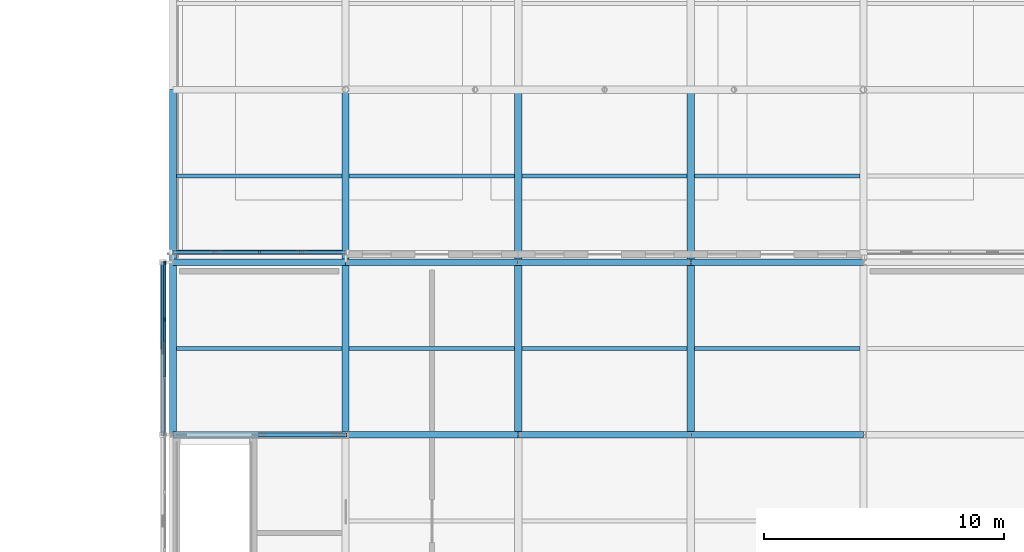
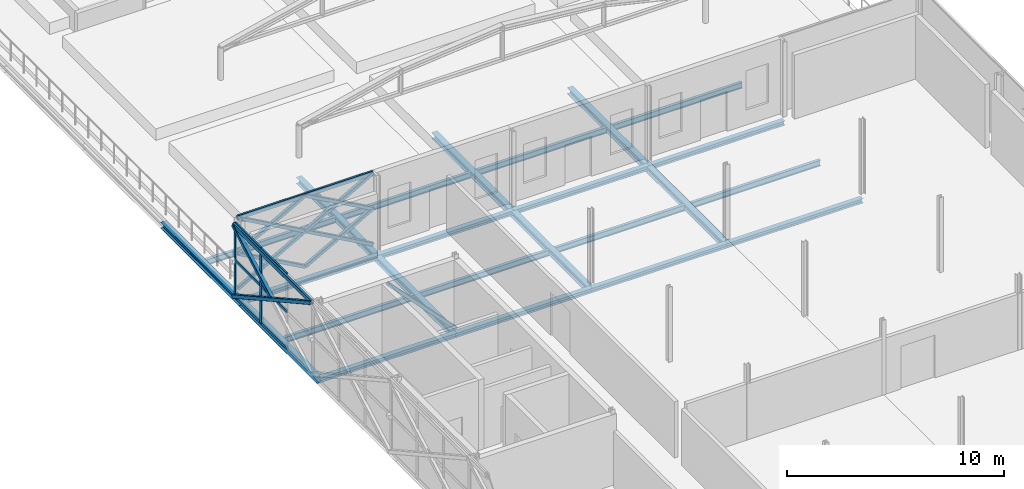
# One storey, part 62 of 126: 25 members, 24 beams, 1 element without a shape of its own.
"""IFC4 building model written with IfcOpenShell, lengths in metres."""

from ifc_helpers import new_model, si_unit, direction, frame, origin, origin_2d, place, context, subcontext, project, spatial, rectangle, hollow_rectangle, i_section, extrude, material, material_profile, profile_set, type_object, element, aggregate, save


model = new_model("IFC4")

# Units and contexts
model_context = context("Model", 3, precision=1e-05, world=origin(), true_north=direction((0.0, 1.0)))
body_context = subcontext(model_context, "Body", "Model", "MODEL_VIEW")
ifc_project = project(units=[si_unit("LENGTHUNIT", "METRE"), si_unit("AREAUNIT", "SQUARE_METRE"), si_unit("VOLUMEUNIT", "CUBIC_METRE"), si_unit("PLANEANGLEUNIT", "RADIAN"), si_unit("MASSUNIT", "GRAM", prefix="KILO")], contexts=[model_context])

# Site, building, storey
site_placement = place(None, origin())
site = spatial("IfcSite", under=ifc_project, at=site_placement, CompositionType="ELEMENT")
building_placement = place(site_placement, origin())
building = spatial("IfcBuilding", under=site, at=building_placement, Name="Zlatovets Crest Museum", CompositionType="ELEMENT")
storey_placement = place(building_placement, frame((0.0, 0.0, 8.699951171875)))
storey = spatial("IfcBuildingStorey", under=building, at=storey_placement, Name="L02", CompositionType="ELEMENT", Elevation=8.699951171875)

# Beams
ifc_material_1 = material(Name="Structural steel S355J2", Category="steel")
ifc_material_profile_1 = material_profile(ifc_material_1, i_section(OverallWidth=0.300048828125, OverallDepth=0.35009765625, WebThickness=0.010009765625, FlangeThickness=0.017578125, FilletRadius=0.027099609375, at=origin_2d()), Name="HEA 360")
ifc_profile_set_1 = profile_set([ifc_material_profile_1], Name="Structural steel S355J2")
beam_type_1 = type_object("IfcBeamType", Name="Beam_B-03", PredefinedType="BEAM", material=ifc_profile_set_1)
beam_1_placement = place(storey_placement, frame((129.60009765625, 50.39990234375, -0.39501953125), z_axis=(0.0, 1.0, 0.0), x_axis=(-1.0, 0.0, 0.0)))
element("IfcBeam", 1, at=beam_1_placement, inside=storey, type_object=beam_type_1, Name="V5 L02 Grid Beam B-03", PredefinedType="BEAM", context=body_context, shape_type="SweptSolid", body=[
    extrude(i_section(OverallWidth=0.300048828125, OverallDepth=0.35009765625, WebThickness=0.010009765625, FlangeThickness=0.017578125, FilletRadius=0.027099609375, at=origin_2d()), origin(), (0.0, 0.0, 1.0), 7.2001953125),
])
beam_2_placement = place(storey_placement, frame((129.60009765625, 57.60009765625, -0.39501953125), z_axis=(0.0, 1.0, 0.0), x_axis=(-1.0, 0.0, 0.0)))
element("IfcBeam", 2, at=beam_2_placement, inside=storey, type_object=beam_type_1, Name="V5 L02 Grid Beam B-03", PredefinedType="BEAM", context=body_context, shape_type="SweptSolid", body=[
    extrude(i_section(OverallWidth=0.300048828125, OverallDepth=0.35009765625, WebThickness=0.010009765625, FlangeThickness=0.017578125, FilletRadius=0.027099609375, at=origin_2d()), origin(), (0.0, 0.0, 1.0), 7.199951171875),
])
beam_3_placement = place(storey_placement, frame((136.800048828125, 50.39990234375, -0.39501953125), z_axis=(0.0, 1.0, 0.0), x_axis=(-1.0, 0.0, 0.0)))
element("IfcBeam", 3, at=beam_3_placement, inside=storey, type_object=beam_type_1, Name="V5 L02 Grid Beam B-03", PredefinedType="BEAM", context=body_context, shape_type="SweptSolid", body=[
    extrude(i_section(OverallWidth=0.300048828125, OverallDepth=0.35009765625, WebThickness=0.010009765625, FlangeThickness=0.017578125, FilletRadius=0.027099609375, at=origin_2d()), origin(), (0.0, 0.0, 1.0), 7.2001953125),
])
beam_4_placement = place(storey_placement, frame((136.800048828125, 57.60009765625, -0.39501953125), z_axis=(0.0, 1.0, 0.0), x_axis=(-1.0, 0.0, 0.0)))
element("IfcBeam", 4, at=beam_4_placement, inside=storey, type_object=beam_type_1, Name="V5 L02 Grid Beam B-03", PredefinedType="BEAM", context=body_context, shape_type="SweptSolid", body=[
    extrude(i_section(OverallWidth=0.300048828125, OverallDepth=0.35009765625, WebThickness=0.010009765625, FlangeThickness=0.017578125, FilletRadius=0.027099609375, at=origin_2d()), origin(), (0.0, 0.0, 1.0), 7.199951171875),
])
beam_5_placement = place(storey_placement, frame((144.0, 50.39990234375, -0.39501953125), z_axis=(0.0, 1.0, 0.0), x_axis=(-1.0, 0.0, 0.0)))
element("IfcBeam", 5, at=beam_5_placement, inside=storey, type_object=beam_type_1, Name="V5 L02 Grid Beam B-03", PredefinedType="BEAM", context=body_context, shape_type="SweptSolid", body=[
    extrude(i_section(OverallWidth=0.300048828125, OverallDepth=0.35009765625, WebThickness=0.010009765625, FlangeThickness=0.017578125, FilletRadius=0.027099609375, at=origin_2d()), origin(), (0.0, 0.0, 1.0), 7.2001953125),
])
beam_6_placement = place(storey_placement, frame((144.0, 57.60009765625, -0.39501953125), z_axis=(0.0, 1.0, 0.0), x_axis=(-1.0, 0.0, 0.0)))
element("IfcBeam", 6, at=beam_6_placement, inside=storey, type_object=beam_type_1, Name="V5 L02 Grid Beam B-03", PredefinedType="BEAM", context=body_context, shape_type="SweptSolid", body=[
    extrude(i_section(OverallWidth=0.300048828125, OverallDepth=0.35009765625, WebThickness=0.010009765625, FlangeThickness=0.017578125, FilletRadius=0.027099609375, at=origin_2d()), origin(), (0.0, 0.0, 1.0), 7.199951171875),
])
beam_7_placement = place(storey_placement, frame((151.199951171875, 50.39990234375, -0.39501953125), z_axis=(0.0, 1.0, 0.0), x_axis=(-1.0, 0.0, 0.0)))
element("IfcBeam", 7, at=beam_7_placement, inside=storey, type_object=beam_type_1, Name="V5 L02 Grid Beam B-03", PredefinedType="BEAM", context=body_context, shape_type="SweptSolid", body=[
    extrude(i_section(OverallWidth=0.300048828125, OverallDepth=0.35009765625, WebThickness=0.010009765625, FlangeThickness=0.017578125, FilletRadius=0.027099609375, at=origin_2d()), origin(), (0.0, 0.0, 1.0), 7.2001953125),
])
beam_8_placement = place(storey_placement, frame((151.199951171875, 57.60009765625, -0.39501953125), z_axis=(0.0, 1.0, 0.0), x_axis=(-1.0, 0.0, 0.0)))
element("IfcBeam", 8, at=beam_8_placement, inside=storey, type_object=beam_type_1, Name="V5 L02 Grid Beam B-03", PredefinedType="BEAM", context=body_context, shape_type="SweptSolid", body=[
    extrude(i_section(OverallWidth=0.300048828125, OverallDepth=0.35009765625, WebThickness=0.010009765625, FlangeThickness=0.017578125, FilletRadius=0.027099609375, at=origin_2d()), origin(), (0.0, 0.0, 1.0), 7.199951171875),
])
ifc_material_profile_2 = material_profile(ifc_material_1, i_section(OverallWidth=0.260009765625, OverallDepth=0.25, WebThickness=0.007568359375, FlangeThickness=0.012451171875, FilletRadius=0.02392578125, at=origin_2d()), Name="HEA 260")
ifc_profile_set_2 = profile_set([ifc_material_profile_2], Name="Structural steel S355J2")
beam_type_2 = type_object("IfcBeamType", Name="Beam_B-13", PredefinedType="BEAM", material=ifc_profile_set_2)
for number, where, z_axis, x_axis, name in (
    (9, (129.60009765625, 50.39990234375, -0.344970703125), (1.0, 0.0, 0.0), (0.0, 1.0, 0.0), "V5 L02 Primary Girder B-13"),
    (10, (136.800048828125, 50.39990234375, -0.344970703125), (1.0, 0.0, 0.0), (0.0, 1.0, 0.0), "V5 L02 Primary Girder B-13"),
    (11, (144.0, 50.39990234375, -0.344970703125), (1.0, 0.0, 0.0), (0.0, 1.0, 0.0), "V5 L02 Primary Girder B-13"),
    (12, (151.199951171875, 50.39990234375, -0.344970703125), (1.0, 0.0, 0.0), (0.0, 1.0, 0.0), "V5 L02 Primary Girder B-13"),
    (13, (129.60009765625, 57.60009765625, -0.344970703125), (1.0, 0.0, 0.0), (0.0, 1.0, 0.0), "V5 L02 Primary Girder B-13"),
    (14, (136.800048828125, 57.60009765625, -0.344970703125), (1.0, 0.0, 0.0), (0.0, 1.0, 0.0), "V5 L02 Primary Girder B-13"),
    (15, (144.0, 57.60009765625, -0.344970703125), (1.0, 0.0, 0.0), (0.0, 1.0, 0.0), "V5 L02 Primary Girder B-13"),
    (16, (151.199951171875, 57.60009765625, -0.344970703125), (1.0, 0.0, 0.0), (0.0, 1.0, 0.0), "V5 L02 Primary Girder B-13"),
):
    element("IfcBeam", number, at=place(storey_placement, frame(where, z_axis=z_axis, x_axis=x_axis)), inside=storey, type_object=beam_type_2, Name=name, PredefinedType="BEAM", context=body_context, shape_type="SweptSolid", body=[
        extrude(i_section(OverallWidth=0.260009765625, OverallDepth=0.25, WebThickness=0.007568359375, FlangeThickness=0.012451171875, FilletRadius=0.02392578125, at=origin_2d()), origin(), (0.0, 0.0, 1.0), 7.199951171875),
    ])
ifc_material_profile_3 = material_profile(ifc_material_1, i_section(OverallWidth=0.159912109375, OverallDepth=0.330078125, WebThickness=0.007568359375, FlangeThickness=0.011474609375, FilletRadius=0.01806640625, at=origin_2d()), Name="IPE 330")
ifc_profile_set_3 = profile_set([ifc_material_profile_3], Name="Structural steel S355J2")
beam_type_3 = type_object("IfcBeamType", Name="Beam_J-09", PredefinedType="JOIST", material=ifc_profile_set_3)
for number, where, z_axis, x_axis, name in (
    (17, (129.75, 54.0, -0.385009765625), (1.0, 0.0, 0.0), (0.0, 1.0, 0.0), "V5 L02 Composite Joist J-09"),
    (18, (129.75, 61.199951171875, -0.385009765625), (1.0, 0.0, 0.0), (0.0, 1.0, 0.0), "V5 L02 Composite Joist J-09"),
):
    element("IfcBeam", number, at=place(storey_placement, frame(where, z_axis=z_axis, x_axis=x_axis)), inside=storey, type_object=beam_type_3, Name=name, PredefinedType="JOIST", context=body_context, shape_type="SweptSolid", body=[
        extrude(i_section(OverallWidth=0.159912109375, OverallDepth=0.330078125, WebThickness=0.007568359375, FlangeThickness=0.011474609375, FilletRadius=0.01806640625, at=origin_2d()), origin(), (0.0, 0.0, 1.0), 6.89990234375),
    ])
for number, where, z_axis, x_axis, name in (
    (19, (136.949951171875, 54.0, -0.385009765625), (1.0, 0.0, 0.0), (0.0, 1.0, 0.0), "V5 L02 Composite Joist J-09"),
    (20, (136.949951171875, 61.199951171875, -0.385009765625), (1.0, 0.0, 0.0), (0.0, 1.0, 0.0), "V5 L02 Composite Joist J-09"),
    (21, (144.14990234375, 54.0, -0.385009765625), (1.0, 0.0, 0.0), (0.0, 1.0, 0.0), "V5 L02 Composite Joist J-09"),
    (22, (144.14990234375, 61.199951171875, -0.385009765625), (1.0, 0.0, 0.0), (0.0, 1.0, 0.0), "V5 L02 Composite Joist J-09"),
):
    element("IfcBeam", number, at=place(storey_placement, frame(where, z_axis=z_axis, x_axis=x_axis)), inside=storey, type_object=beam_type_3, Name=name, PredefinedType="JOIST", context=body_context, shape_type="SweptSolid", body=[
        extrude(i_section(OverallWidth=0.159912109375, OverallDepth=0.330078125, WebThickness=0.007568359375, FlangeThickness=0.011474609375, FilletRadius=0.01806640625, at=origin_2d()), origin(), (0.0, 0.0, 1.0), 6.900146484375),
    ])
for number, where, z_axis, x_axis, name in (
    (23, (151.35009765625, 54.0, -0.385009765625), (1.0, 0.0, 0.0), (0.0, 1.0, 0.0), "V5 L02 Composite Joist J-09"),
    (24, (151.35009765625, 61.199951171875, -0.385009765625), (1.0, 0.0, 0.0), (0.0, 1.0, 0.0), "V5 L02 Composite Joist J-09"),
):
    element("IfcBeam", number, at=place(storey_placement, frame(where, z_axis=z_axis, x_axis=x_axis)), inside=storey, type_object=beam_type_3, Name=name, PredefinedType="JOIST", context=body_context, shape_type="SweptSolid", body=[
        extrude(i_section(OverallWidth=0.159912109375, OverallDepth=0.330078125, WebThickness=0.007568359375, FlangeThickness=0.011474609375, FilletRadius=0.01806640625, at=origin_2d()), origin(), (0.0, 0.0, 1.0), 6.89990234375),
    ])

# Curtain wall, members
ifc_material_2 = material(Name="Bronze-anodised aluminium and low-E triple glass", Category="aluminium")
curtain_wall_type = type_object("IfcCurtainWallType", Name="CW_CW-V5-L02-M0", PredefinedType="NOTDEFINED", material=ifc_material_2)
curtain_wall_placement = place(storey_placement, origin())
curtain_wall = element("IfcCurtainWall", 25, at=curtain_wall_placement, inside=storey, type_object=curtain_wall_type, Name="V5 L02 Secession Foyer Clear Curtain Wall", PredefinedType="NOTDEFINED")
ifc_material_3 = material(Name="Bronze-anodised aluminium EN AW-6060", Category="aluminium")
ifc_material_profile_4 = material_profile(ifc_material_3, rectangle(XDim=0.080078125, YDim=0.159912109375, at=origin_2d()), Name="ALU 80x160")
ifc_profile_set_4 = profile_set([ifc_material_profile_4], Name="Bronze-anodised aluminium EN AW-6060")
member_type_1 = type_object("IfcMemberType", Name="CWMull_M1", PredefinedType="MULLION", material=ifc_profile_set_4)
member_1_placement = place(storey_placement, frame((129.260009765625, 57.570068359375, 0.0), z_axis=(0.0, 0.0, 1.0), x_axis=(1.0, 0.0, 0.0)))
member_1 = element("IfcMember", 26, at=member_1_placement, type_object=member_type_1, Name="CW-V5-L02-M0 mullion 1", PredefinedType="MULLION", context=body_context, shape_type="SweptSolid", body=[
    extrude(rectangle(XDim=0.080078125, YDim=0.159912109375, at=origin_2d()), origin(), (0.0, 0.0, 1.0), 4.199951171875),
])
member_2_placement = place(storey_placement, frame((129.260009765625, 55.199951171875, 0.0), z_axis=(0.0, 0.0, 1.0), x_axis=(1.0, 0.0, 0.0)))
member_2 = element("IfcMember", 27, at=member_2_placement, type_object=member_type_1, Name="CW-V5-L02-M0 mullion 2", PredefinedType="MULLION", context=body_context, shape_type="SweptSolid", body=[
    extrude(rectangle(XDim=0.080078125, YDim=0.159912109375, at=origin_2d()), origin(), (0.0, 0.0, 1.0), 4.199951171875),
])
ifc_material_profile_5 = material_profile(ifc_material_3, rectangle(XDim=0.080078125, YDim=0.159912109375, at=origin_2d()), Name="ALU 80x160")
ifc_profile_set_5 = profile_set([ifc_material_profile_5], Name="Bronze-anodised aluminium EN AW-6060")
member_type_2 = type_object("IfcMemberType", Name="CWTrans_T1", PredefinedType="USERDEFINED", material=ifc_profile_set_5)
member_3_placement = place(storey_placement, frame((129.260009765625, 57.5400390625, 0.030029296875), z_axis=(0.0, -1.0, 0.0), x_axis=(1.0, 0.0, 0.0)))
member_3 = element("IfcMember", 28, at=member_3_placement, type_object=member_type_2, Name="CW-V5-L02-M0 transom 1.1", ObjectType="TRANSOM", PredefinedType="USERDEFINED", context=body_context, shape_type="SweptSolid", body=[
    extrude(rectangle(XDim=0.080078125, YDim=0.159912109375, at=origin_2d()), origin(), (0.0, 0.0, 1.0), 2.31005859375),
])
member_4_placement = place(storey_placement, frame((129.260009765625, 57.5400390625, 2.10009765625), z_axis=(0.0, -1.0, 0.0), x_axis=(1.0, 0.0, 0.0)))
member_4 = element("IfcMember", 29, at=member_4_placement, type_object=member_type_2, Name="CW-V5-L02-M0 transom 1.2", ObjectType="TRANSOM", PredefinedType="USERDEFINED", context=body_context, shape_type="SweptSolid", body=[
    extrude(rectangle(XDim=0.080078125, YDim=0.159912109375, at=origin_2d()), origin(), (0.0, 0.0, 1.0), 2.31005859375),
])
member_5_placement = place(storey_placement, frame((129.260009765625, 57.5400390625, 4.170166015625), z_axis=(0.0, -1.0, 0.0), x_axis=(1.0, 0.0, 0.0)))
member_5 = element("IfcMember", 30, at=member_5_placement, type_object=member_type_2, Name="CW-V5-L02-M0 transom 1.3", ObjectType="TRANSOM", PredefinedType="USERDEFINED", context=body_context, shape_type="SweptSolid", body=[
    extrude(rectangle(XDim=0.080078125, YDim=0.159912109375, at=origin_2d()), origin(), (0.0, 0.0, 1.0), 2.31005859375),
])
member_6_placement = place(storey_placement, frame((129.260009765625, 55.169921875, 0.030029296875), z_axis=(0.0, -1.0, 0.0), x_axis=(1.0, 0.0, 0.0)))
member_6 = element("IfcMember", 31, at=member_6_placement, type_object=member_type_2, Name="CW-V5-L02-M0 transom 2.1", ObjectType="TRANSOM", PredefinedType="USERDEFINED", context=body_context, shape_type="SweptSolid", body=[
    extrude(rectangle(XDim=0.080078125, YDim=0.159912109375, at=origin_2d()), origin(), (0.0, 0.0, 1.0), 2.33984375),
])
member_7_placement = place(storey_placement, frame((129.260009765625, 55.169921875, 2.10009765625), z_axis=(0.0, -1.0, 0.0), x_axis=(1.0, 0.0, 0.0)))
member_7 = element("IfcMember", 32, at=member_7_placement, type_object=member_type_2, Name="CW-V5-L02-M0 transom 2.2", ObjectType="TRANSOM", PredefinedType="USERDEFINED", context=body_context, shape_type="SweptSolid", body=[
    extrude(rectangle(XDim=0.080078125, YDim=0.159912109375, at=origin_2d()), origin(), (0.0, 0.0, 1.0), 2.33984375),
])
member_8_placement = place(storey_placement, frame((129.260009765625, 55.169921875, 4.170166015625), z_axis=(0.0, -1.0, 0.0), x_axis=(1.0, 0.0, 0.0)))
member_8 = element("IfcMember", 33, at=member_8_placement, type_object=member_type_2, Name="CW-V5-L02-M0 transom 2.3", ObjectType="TRANSOM", PredefinedType="USERDEFINED", context=body_context, shape_type="SweptSolid", body=[
    extrude(rectangle(XDim=0.080078125, YDim=0.159912109375, at=origin_2d()), origin(), (0.0, 0.0, 1.0), 2.33984375),
])
aggregate(curtain_wall, [member_1, member_2, member_3, member_4, member_5, member_6, member_7, member_8])

# Members
ifc_material_4 = material(Name="Weathering bronze-steel S355J2W", Category="steel")
ifc_material_profile_6 = material_profile(ifc_material_4, hollow_rectangle(XDim=0.179931640625, YDim=0.179931640625, WallThickness=0.010009765625, InnerFilletRadius=0.010009765625, OuterFilletRadius=0.02001953125, at=origin_2d()), Name="SHS 180x180x10.0")
ifc_profile_set_6 = profile_set([ifc_material_profile_6], Name="Weathering bronze-steel S355J2W")
member_type_3 = type_object("IfcMemberType", Name="Lattice_XL-01", PredefinedType="BRACE", material=ifc_profile_set_6)
member_9_placement = place(storey_placement, frame((136.800048828125, 58.02001953125, 0.10009765625), z_axis=(-0.874162868644, 0.0, 0.485632864501), x_axis=(0.0, -1.0, 0.0)))
element("IfcMember", 34, at=member_9_placement, inside=storey, type_object=member_type_3, Name="Continuous Bronze Lattice Diagonal", PredefinedType="BRACE", context=body_context, shape_type="SweptSolid", body=[
    extrude(hollow_rectangle(XDim=0.179931640625, YDim=0.179931640625, WallThickness=0.010009765625, InnerFilletRadius=0.010009765625, OuterFilletRadius=0.02001953125, at=origin_2d()), origin(), (0.0, 0.0, 1.0), 4.118408203125),
])
for number, where, z_axis, x_axis, name in (
    (35, (136.800048828125, 58.02001953125, 2.10009765625), (-0.874169001841, 0.0, -0.485621824284), (0.0, -1.0, 0.0), "Split Crossing Bronze Lattice Diagonal Upper"),
    (36, (134.9169921875, 58.02001953125, 1.053955078125), (-0.874169001841, 0.0, -0.485621824284), (0.0, -1.0, 0.0), "Split Crossing Bronze Lattice Diagonal Lower"),
):
    element("IfcMember", number, at=place(storey_placement, frame(where, z_axis=z_axis, x_axis=x_axis)), inside=storey, type_object=member_type_3, Name=name, PredefinedType="BRACE", context=body_context, shape_type="SweptSolid", body=[
        extrude(hollow_rectangle(XDim=0.179931640625, YDim=0.179931640625, WallThickness=0.010009765625, InnerFilletRadius=0.010009765625, OuterFilletRadius=0.02001953125, at=origin_2d()), origin(), (0.0, 0.0, 1.0), 1.964111328125),
    ])
member_10_placement = place(storey_placement, frame((133.199951171875, 58.02001953125, 0.10009765625), z_axis=(-0.874148886685, 0.0, 0.485658031857), x_axis=(0.0, -1.0, 0.0)))
element("IfcMember", 37, at=member_10_placement, inside=storey, type_object=member_type_3, Name="Continuous Bronze Lattice Diagonal", PredefinedType="BRACE", context=body_context, shape_type="SweptSolid", body=[
    extrude(hollow_rectangle(XDim=0.179931640625, YDim=0.179931640625, WallThickness=0.010009765625, InnerFilletRadius=0.010009765625, OuterFilletRadius=0.02001953125, at=origin_2d()), origin(), (0.0, 0.0, 1.0), 4.1181640625),
])
member_11_placement = place(storey_placement, frame((133.199951171875, 58.02001953125, 2.10009765625), z_axis=(-0.874169001841, 0.0, -0.485621824284), x_axis=(0.0, -1.0, 0.0)))
element("IfcMember", 38, at=member_11_placement, inside=storey, type_object=member_type_3, Name="Split Crossing Bronze Lattice Diagonal Upper", PredefinedType="BRACE", context=body_context, shape_type="SweptSolid", body=[
    extrude(hollow_rectangle(XDim=0.179931640625, YDim=0.179931640625, WallThickness=0.010009765625, InnerFilletRadius=0.010009765625, OuterFilletRadius=0.02001953125, at=origin_2d()), origin(), (0.0, 0.0, 1.0), 1.964111328125),
])
member_12_placement = place(storey_placement, frame((131.31689453125, 58.02001953125, 1.053955078125), z_axis=(-0.874139684676, 0.0, -0.48567459443), x_axis=(0.0, -1.0, 0.0)))
element("IfcMember", 39, at=member_12_placement, inside=storey, type_object=member_type_3, Name="Split Crossing Bronze Lattice Diagonal Lower", PredefinedType="BRACE", context=body_context, shape_type="SweptSolid", body=[
    extrude(hollow_rectangle(XDim=0.179931640625, YDim=0.179931640625, WallThickness=0.010009765625, InnerFilletRadius=0.010009765625, OuterFilletRadius=0.02001953125, at=origin_2d()), origin(), (0.0, 0.0, 1.0), 1.9638671875),
])
member_13_placement = place(storey_placement, frame((136.800048828125, 58.02001953125, 2.10009765625), z_axis=(-0.874162868644, 0.0, 0.485632864501), x_axis=(0.0, -1.0, 0.0)))
element("IfcMember", 40, at=member_13_placement, inside=storey, type_object=member_type_3, Name="Continuous Bronze Lattice Diagonal", PredefinedType="BRACE", context=body_context, shape_type="SweptSolid", body=[
    extrude(hollow_rectangle(XDim=0.179931640625, YDim=0.179931640625, WallThickness=0.010009765625, InnerFilletRadius=0.010009765625, OuterFilletRadius=0.02001953125, at=origin_2d()), origin(), (0.0, 0.0, 1.0), 4.118408203125),
])
for number, where, z_axis, x_axis, name in (
    (41, (136.800048828125, 58.02001953125, 4.10009765625), (-0.874169001841, 0.0, -0.485621824284), (0.0, -1.0, 0.0), "Split Crossing Bronze Lattice Diagonal Upper"),
    (42, (134.9169921875, 58.02001953125, 3.053955078125), (-0.874169001841, 0.0, -0.485621824284), (0.0, -1.0, 0.0), "Split Crossing Bronze Lattice Diagonal Lower"),
):
    element("IfcMember", number, at=place(storey_placement, frame(where, z_axis=z_axis, x_axis=x_axis)), inside=storey, type_object=member_type_3, Name=name, PredefinedType="BRACE", context=body_context, shape_type="SweptSolid", body=[
        extrude(hollow_rectangle(XDim=0.179931640625, YDim=0.179931640625, WallThickness=0.010009765625, InnerFilletRadius=0.010009765625, OuterFilletRadius=0.02001953125, at=origin_2d()), origin(), (0.0, 0.0, 1.0), 1.964111328125),
    ])
member_14_placement = place(storey_placement, frame((133.199951171875, 58.02001953125, 2.10009765625), z_axis=(-0.874148886685, 0.0, 0.485658031857), x_axis=(0.0, -1.0, 0.0)))
element("IfcMember", 43, at=member_14_placement, inside=storey, type_object=member_type_3, Name="Continuous Bronze Lattice Diagonal", PredefinedType="BRACE", context=body_context, shape_type="SweptSolid", body=[
    extrude(hollow_rectangle(XDim=0.179931640625, YDim=0.179931640625, WallThickness=0.010009765625, InnerFilletRadius=0.010009765625, OuterFilletRadius=0.02001953125, at=origin_2d()), origin(), (0.0, 0.0, 1.0), 4.1181640625),
])
member_15_placement = place(storey_placement, frame((133.199951171875, 58.02001953125, 4.10009765625), z_axis=(-0.874169001841, 0.0, -0.485621824284), x_axis=(0.0, -1.0, 0.0)))
element("IfcMember", 44, at=member_15_placement, inside=storey, type_object=member_type_3, Name="Split Crossing Bronze Lattice Diagonal Upper", PredefinedType="BRACE", context=body_context, shape_type="SweptSolid", body=[
    extrude(hollow_rectangle(XDim=0.179931640625, YDim=0.179931640625, WallThickness=0.010009765625, InnerFilletRadius=0.010009765625, OuterFilletRadius=0.02001953125, at=origin_2d()), origin(), (0.0, 0.0, 1.0), 1.964111328125),
])
member_16_placement = place(storey_placement, frame((131.31689453125, 58.02001953125, 3.053955078125), z_axis=(-0.874139684676, 0.0, -0.48567459443), x_axis=(0.0, -1.0, 0.0)))
element("IfcMember", 45, at=member_16_placement, inside=storey, type_object=member_type_3, Name="Split Crossing Bronze Lattice Diagonal Lower", PredefinedType="BRACE", context=body_context, shape_type="SweptSolid", body=[
    extrude(hollow_rectangle(XDim=0.179931640625, YDim=0.179931640625, WallThickness=0.010009765625, InnerFilletRadius=0.010009765625, OuterFilletRadius=0.02001953125, at=origin_2d()), origin(), (0.0, 0.0, 1.0), 1.9638671875),
])
ifc_material_profile_7 = material_profile(ifc_material_4, hollow_rectangle(XDim=0.199951171875, YDim=0.199951171875, WallThickness=0.012451171875, InnerFilletRadius=0.012451171875, OuterFilletRadius=0.02490234375, at=origin_2d()), Name="SHS 200x200x12.5")
ifc_profile_set_7 = profile_set([ifc_material_profile_7], Name="Weathering bronze-steel S355J2W")
member_type_4 = type_object("IfcMemberType", Name="Lattice_XL-02", PredefinedType="BRACE", material=ifc_profile_set_7)
member_17_placement = place(storey_placement, frame((129.179931640625, 57.60009765625, 0.10009765625), z_axis=(0.0, -0.874162868644, 0.485632864501), x_axis=(1.0, 0.0, 0.0)))
element("IfcMember", 46, at=member_17_placement, inside=storey, type_object=member_type_4, Name="Continuous Bronze Lattice Diagonal", PredefinedType="BRACE", context=body_context, shape_type="SweptSolid", body=[
    extrude(hollow_rectangle(XDim=0.199951171875, YDim=0.199951171875, WallThickness=0.012451171875, InnerFilletRadius=0.012451171875, OuterFilletRadius=0.02490234375, at=origin_2d()), origin(), (0.0, 0.0, 1.0), 8.236572265625),
])
member_18_placement = place(storey_placement, frame((129.179931640625, 57.60009765625, 4.10009765625), z_axis=(0.0, -0.874165862873, -0.485627474703), x_axis=(1.0, 0.0, 0.0)))
element("IfcMember", 47, at=member_18_placement, inside=storey, type_object=member_type_4, Name="Split Crossing Bronze Lattice Diagonal Upper", PredefinedType="BRACE", context=body_context, shape_type="SweptSolid", body=[
    extrude(hollow_rectangle(XDim=0.199951171875, YDim=0.199951171875, WallThickness=0.012451171875, InnerFilletRadius=0.012451171875, OuterFilletRadius=0.02490234375, at=origin_2d()), origin(), (0.0, 0.0, 1.0), 4.0234375),
])
ifc_material_profile_8 = material_profile(ifc_material_4, hollow_rectangle(XDim=0.1201171875, YDim=0.239990234375, WallThickness=0.010009765625, InnerFilletRadius=0.010009765625, OuterFilletRadius=0.02001953125, at=origin_2d()), Name="RHS 120x240x10.0")
ifc_profile_set_8 = profile_set([ifc_material_profile_8], Name="Weathering bronze-steel S355J2W")
member_type_5 = type_object("IfcMemberType", Name="Lattice_XL-04", PredefinedType="CHORD", material=ifc_profile_set_8)
member_19_placement = place(storey_placement, frame((136.800048828125, 58.02001953125, 4.10009765625), z_axis=(-1.0, 0.0, 0.0), x_axis=(0.0, -1.0, 0.0)))
element("IfcMember", 48, at=member_19_placement, inside=storey, type_object=member_type_5, Name="Art Nouveau Woven Cage Collector Ring Chord", PredefinedType="CHORD", context=body_context, shape_type="SweptSolid", body=[
    extrude(hollow_rectangle(XDim=0.1201171875, YDim=0.239990234375, WallThickness=0.010009765625, InnerFilletRadius=0.010009765625, OuterFilletRadius=0.02001953125, at=origin_2d()), origin(), (0.0, 0.0, 1.0), 7.199951171875),
])
member_20_placement = place(storey_placement, frame((129.179931640625, 57.60009765625, 4.10009765625), z_axis=(0.0, -1.0, 0.0), x_axis=(1.0, 0.0, 0.0)))
element("IfcMember", 49, at=member_20_placement, inside=storey, type_object=member_type_5, Name="Art Nouveau Woven Cage Collector Ring Chord", PredefinedType="CHORD", context=body_context, shape_type="SweptSolid", body=[
    extrude(hollow_rectangle(XDim=0.1201171875, YDim=0.239990234375, WallThickness=0.010009765625, InnerFilletRadius=0.010009765625, OuterFilletRadius=0.02001953125, at=origin_2d()), origin(), (0.0, 0.0, 1.0), 7.2001953125),
])
ifc_material_profile_9 = material_profile(ifc_material_1, hollow_rectangle(XDim=0.179931640625, YDim=0.179931640625, WallThickness=0.010009765625, InnerFilletRadius=0.010009765625, OuterFilletRadius=0.02001953125, at=origin_2d()), Name="SHS 180x180x10.0")
ifc_profile_set_9 = profile_set([ifc_material_profile_9], Name="Structural steel S355J2")
member_type_6 = type_object("IfcMemberType", Name="Member_BR-02", PredefinedType="BRACE", material=ifc_profile_set_9)
member_21_placement = place(storey_placement, frame((136.800048828125, 50.39990234375, 0.0), z_axis=(-0.692541604294, 0.0, 0.721377935844), x_axis=(0.0, -1.0, 0.0)))
element("IfcMember", 50, at=member_21_placement, inside=storey, type_object=member_type_6, Name="V5 L02 Concentric Seismic Brace", PredefinedType="BRACE", context=body_context, shape_type="SweptSolid", body=[
    extrude(hollow_rectangle(XDim=0.179931640625, YDim=0.179931640625, WallThickness=0.010009765625, InnerFilletRadius=0.010009765625, OuterFilletRadius=0.02001953125, at=origin_2d()), origin(), (0.0, 0.0, 1.0), 5.198486328125),
])

save(model, "model.ifc")
